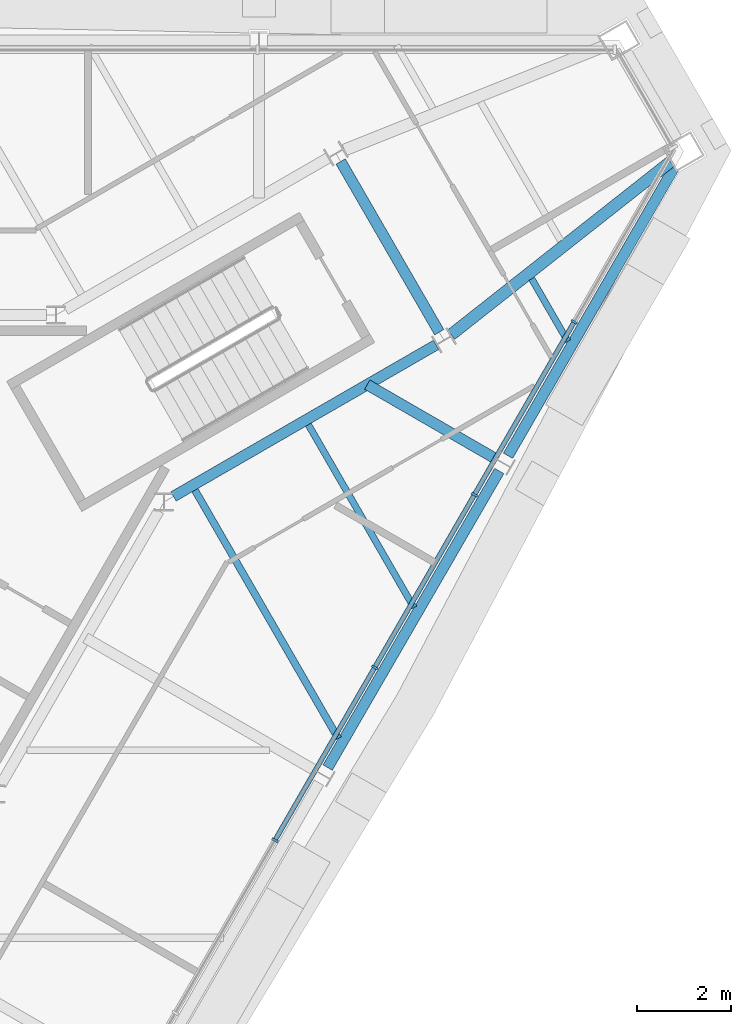
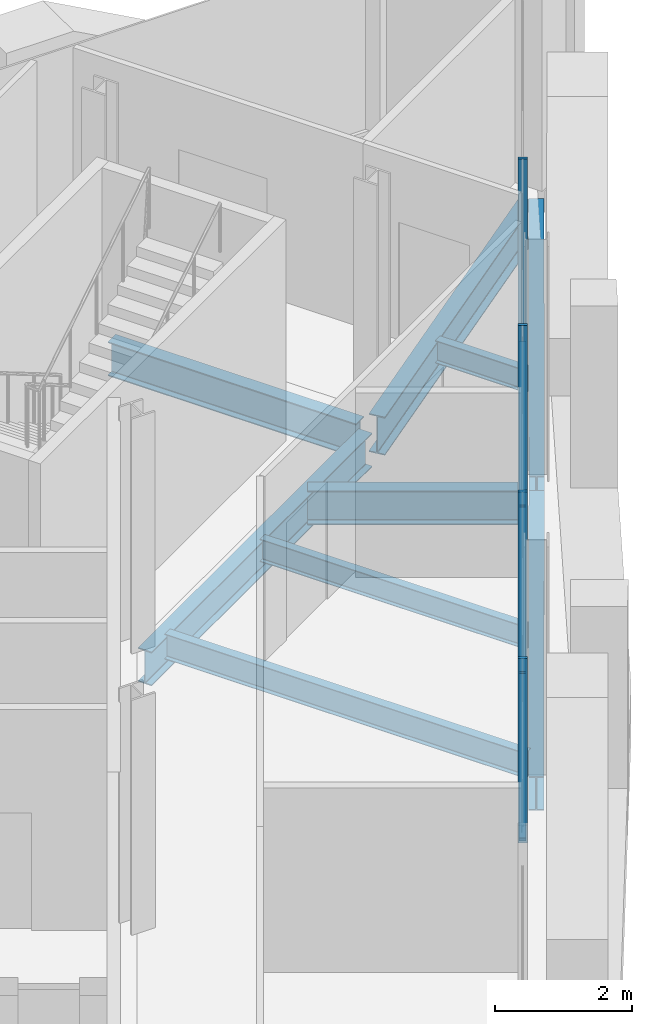
# One storey, part 5 of 13: 9 beams, 7 members, 1 element without a shape of its own.
"""IFC4 building model written with IfcOpenShell, lengths in metres."""

from ifc_helpers import new_model, si_unit, direction, frame, origin, origin_2d, place, context, subcontext, project, spatial, rectangle, i_section, extrude, material, material_profile, profile_set, type_object, element, aggregate, save


model = new_model("IFC4")

# Units and contexts
model_context = context("Model", 3, precision=1e-05, world=origin(), true_north=direction((0.0, 1.0)))
body_context = subcontext(model_context, "Body", "Model", "MODEL_VIEW")
ifc_project = project(units=[si_unit("LENGTHUNIT", "METRE"), si_unit("AREAUNIT", "SQUARE_METRE"), si_unit("VOLUMEUNIT", "CUBIC_METRE"), si_unit("PLANEANGLEUNIT", "RADIAN"), si_unit("MASSUNIT", "GRAM", prefix="KILO")], contexts=[model_context])

# Site, building, storey
site_placement = place(None, origin())
site = spatial("IfcSite", under=ifc_project, at=site_placement, CompositionType="ELEMENT")
building_placement = place(site_placement, origin())
building = spatial("IfcBuilding", under=site, at=building_placement, Name="Verrane Prism Tower", CompositionType="ELEMENT")
storey_placement = place(building_placement, frame((0.0, 0.0, 316.800048828125)))
storey = spatial("IfcBuildingStorey", under=building, at=storey_placement, Name="L80", CompositionType="ELEMENT", Elevation=316.800048828125)

# Beams
ifc_material_1 = material(Name="Steel A992", Category="steel")
ifc_material_profile_1 = material_profile(ifc_material_1, i_section(OverallWidth=0.228271484375, OverallDepth=0.607177734375, WebThickness=0.01123046875, FlangeThickness=0.017333984375, FilletRadius=0.0126953125, at=origin_2d()), Name="W24x76")
ifc_profile_set_1 = profile_set([ifc_material_profile_1], Name="Steel A992")
beam_type_1 = type_object("IfcBeamType", Name="Core ring girder W24x76", PredefinedType="BEAM", material=ifc_profile_set_1)
beam_1_placement = place(storey_placement, frame((9.679443359375, 2.93505859375, -0.553466796875), z_axis=(0.866076057046, 0.499912255713, 0.0), x_axis=(-0.499912255713, 0.866076057046, 0.0)))
element("IfcBeam", 1, at=beam_1_placement, inside=storey, type_object=beam_type_1, Name="Core ring girder L80", PredefinedType="BEAM", context=body_context, shape_type="SweptSolid", body=[
    extrude(i_section(OverallWidth=0.228271484375, OverallDepth=0.607177734375, WebThickness=0.01123046875, FlangeThickness=0.017333984375, FilletRadius=0.0126953125, at=origin_2d()), origin(), (0.0, 0.0, 1.0), 6.458251953125),
])
beam_2_placement = place(storey_placement, frame((15.340087890625, 6.4326171875, -0.553466796875), z_axis=(-0.500323136493, 0.865838760445, 0.0), x_axis=(-0.865838760445, -0.500323136493, 0.0)))
element("IfcBeam", 2, at=beam_2_placement, inside=storey, type_object=beam_type_1, Name="Core ring girder L80", PredefinedType="BEAM", context=body_context, shape_type="SweptSolid", body=[
    extrude(i_section(OverallWidth=0.228271484375, OverallDepth=0.607177734375, WebThickness=0.01123046875, FlangeThickness=0.017333984375, FilletRadius=0.0126953125, at=origin_2d()), origin(), (0.0, 0.0, 1.0), 4.197998046875),
])
ifc_material_2 = material(Name="Steel A992", Category="steel")
ifc_material_profile_2 = material_profile(ifc_material_2, i_section(OverallWidth=0.25390625, OverallDepth=0.683349609375, WebThickness=0.012451171875, FlangeThickness=0.01904296875, FilletRadius=0.01513671875, at=origin_2d()), Name="W27x94")
ifc_profile_set_2 = profile_set([ifc_material_profile_2], Name="Steel A992")
beam_type_2 = type_object("IfcBeamType", Name="Corner girder W27x94", PredefinedType="BEAM", material=ifc_profile_set_2)
beam_3_placement = place(storey_placement, frame((20.26220703125, 10.06103515625, -0.561767578125), z_axis=(-0.785339810319, -0.619064925777, 0.0), x_axis=(0.619064925777, -0.785339810319, 0.0)))
element("IfcBeam", 3, at=beam_3_placement, inside=storey, type_object=beam_type_2, Name="Corner girder L80", PredefinedType="BEAM", context=body_context, shape_type="SweptSolid", body=[
    extrude(i_section(OverallWidth=0.25390625, OverallDepth=0.683349609375, WebThickness=0.012451171875, FlangeThickness=0.01904296875, FilletRadius=0.01513671875, at=origin_2d()), origin(), (0.0, 0.0, 1.0), 5.945068359375),
])
ifc_material_3 = material(Name="Steel A992", Category="steel")
ifc_material_profile_3 = material_profile(ifc_material_3, i_section(OverallWidth=0.140380859375, OverallDepth=0.40380859375, WebThickness=0.007080078125, FlangeThickness=0.01123046875, FilletRadius=0.01025390625, at=origin_2d()), Name="W16x31")
ifc_profile_set_3 = profile_set([ifc_material_profile_3], Name="Steel A992")
beam_type_3 = type_object("IfcBeamType", Name="Floor beam W16x31", PredefinedType="BEAM", material=ifc_profile_set_3)
beam_4_placement = place(storey_placement, frame((14.801513671875, 0.5673828125, -0.362060546875), z_axis=(-0.500038829804, 0.866002984226, 0.0), x_axis=(-0.866002984226, -0.500038829804, 0.0)))
element("IfcBeam", 4, at=beam_4_placement, inside=storey, type_object=beam_type_3, Name="Floor beam L80", PredefinedType="BEAM", context=body_context, shape_type="SweptSolid", body=[
    extrude(i_section(OverallWidth=0.140380859375, OverallDepth=0.40380859375, WebThickness=0.007080078125, FlangeThickness=0.01123046875, FilletRadius=0.01025390625, at=origin_2d()), origin(), (0.0, 0.0, 1.0), 4.497802734375),
])
beam_5_placement = place(storey_placement, frame((18.076904296875, 6.23779296875, -0.362060546875), z_axis=(-0.499978844458, 0.866037617598, 0.0), x_axis=(-0.866037617598, -0.499978844458, 0.0)))
element("IfcBeam", 5, at=beam_5_placement, inside=storey, type_object=beam_type_3, Name="Floor beam L80", PredefinedType="BEAM", context=body_context, shape_type="SweptSolid", body=[
    extrude(i_section(OverallWidth=0.140380859375, OverallDepth=0.40380859375, WebThickness=0.007080078125, FlangeThickness=0.01123046875, FilletRadius=0.01025390625, at=origin_2d()), origin(), (0.0, 0.0, 1.0), 1.53857421875),
])
ifc_material_4 = material(Name="Steel A992", Category="steel")
ifc_material_profile_4 = material_profile(ifc_material_4, i_section(OverallWidth=0.15234375, OverallDepth=0.449462890625, WebThickness=0.007568359375, FlangeThickness=0.0107421875, FilletRadius=0.01025390625, at=origin_2d()), Name="W18x35")
ifc_profile_set_4 = profile_set([ifc_material_profile_4], Name="Steel A992")
beam_type_4 = type_object("IfcBeamType", Name="Floor beam W18x35", PredefinedType="BEAM", material=ifc_profile_set_4)
beam_6_placement = place(storey_placement, frame((13.189697265625, -2.219482421875, -0.384765625), z_axis=(-0.499979762145, 0.8660370878, 0.0), x_axis=(-0.8660370878, -0.499979762145, 0.0)))
element("IfcBeam", 6, at=beam_6_placement, inside=storey, type_object=beam_type_4, Name="Floor beam L80", PredefinedType="BEAM", context=body_context, shape_type="SweptSolid", body=[
    extrude(i_section(OverallWidth=0.15234375, OverallDepth=0.449462890625, WebThickness=0.007568359375, FlangeThickness=0.0107421875, FilletRadius=0.01025390625, at=origin_2d()), origin(), (0.0, 0.0, 1.0), 6.105224609375),
])

# Curtain wall, members
ifc_material_5 = material(Name="Aluminium framed insulated glazing", Category="aluminium")
curtain_wall_type = type_object("IfcCurtainWallType", Name="Curtain wall CW-C 4200 module", PredefinedType="NOTDEFINED", material=ifc_material_5)
curtain_wall_placement = place(storey_placement, origin())
curtain_wall = element("IfcCurtainWall", 7, at=curtain_wall_placement, inside=storey, type_object=curtain_wall_type, Name="Glazed curtain wall south-east face L80", PredefinedType="NOTDEFINED")
ifc_material_6 = material(Name="Aluminium alloy 6063-T6", Category="aluminium")
ifc_material_profile_5 = material_profile(ifc_material_6, rectangle(XDim=0.139892578125, YDim=0.050048828125, at=origin_2d()), Name="Mullion 50x140 aluminium")
ifc_profile_set_5 = profile_set([ifc_material_profile_5], Name="Aluminium alloy 6063-T6")
member_type_1 = type_object("IfcMemberType", Name="Mullion 50x140 aluminium", PredefinedType="MULLION", material=ifc_profile_set_5)
member_1_placement = place(storey_placement, frame((11.841552734375, -4.38427734375, 0.0), z_axis=(0.0, 0.0, 1.0), x_axis=(-0.866025278644, 0.500000216749, 0.0)))
member_1 = element("IfcMember", 8, at=member_1_placement, type_object=member_type_1, Name="CW80.6 mullion 6", PredefinedType="MULLION", context=body_context, shape_type="SweptSolid", body=[
    extrude(rectangle(XDim=0.139892578125, YDim=0.050048828125, at=origin_2d()), origin(), (0.0, 0.0, 1.0), 3.296630859375),
])
member_2_placement = place(storey_placement, frame((13.96533203125, -0.705810546875, 0.0), z_axis=(0.0, 0.0, 1.0), x_axis=(-0.866025278644, 0.500000216749, 0.0)))
member_2 = element("IfcMember", 9, at=member_2_placement, type_object=member_type_1, Name="CW80.6 mullion 7", PredefinedType="MULLION", context=body_context, shape_type="SweptSolid", body=[
    extrude(rectangle(XDim=0.139892578125, YDim=0.050048828125, at=origin_2d()), origin(), (0.0, 0.0, 1.0), 3.296630859375),
])
member_3_placement = place(storey_placement, frame((16.089111328125, 2.97265625, 0.0), z_axis=(0.0, 0.0, 1.0), x_axis=(-0.866025278644, 0.500000216749, 0.0)))
member_3 = element("IfcMember", 10, at=member_3_placement, type_object=member_type_1, Name="CW80.6 mullion 8", PredefinedType="MULLION", context=body_context, shape_type="SweptSolid", body=[
    extrude(rectangle(XDim=0.139892578125, YDim=0.050048828125, at=origin_2d()), origin(), (0.0, 0.0, 1.0), 3.296630859375),
])
member_4_placement = place(storey_placement, frame((18.212890625, 6.651123046875, 0.0), z_axis=(0.0, 0.0, 1.0), x_axis=(-0.866025278644, 0.500000216749, 0.0)))
member_4 = element("IfcMember", 11, at=member_4_placement, type_object=member_type_1, Name="CW80.6 mullion 9", PredefinedType="MULLION", context=body_context, shape_type="SweptSolid", body=[
    extrude(rectangle(XDim=0.139892578125, YDim=0.050048828125, at=origin_2d()), origin(), (0.0, 0.0, 1.0), 3.296630859375),
])

# Beams
ifc_material_7 = material(Name="Steel A992", Category="steel")
ifc_material_profile_6 = material_profile(ifc_material_7, i_section(OverallWidth=0.228271484375, OverallDepth=0.607177734375, WebThickness=0.01123046875, FlangeThickness=0.017333984375, FilletRadius=0.0126953125, at=origin_2d()), Name="W24x76")
ifc_profile_set_6 = profile_set([ifc_material_profile_6], Name="Steel A992")
beam_type_5 = type_object("IfcBeamType", Name="Radial girder W24x76", PredefinedType="BEAM", material=ifc_profile_set_6)
beam_7_placement = place(storey_placement, frame((16.550537109375, 3.732177734375, -0.5234375), z_axis=(-0.866011117715, 0.500024743381, 0.0), x_axis=(-0.500024743381, -0.866011117715, 0.0)))
element("IfcBeam", 12, at=beam_7_placement, inside=storey, type_object=beam_type_5, Name="Radial girder L80", PredefinedType="BEAM", context=body_context, shape_type="SweptSolid", body=[
    extrude(i_section(OverallWidth=0.228271484375, OverallDepth=0.607177734375, WebThickness=0.01123046875, FlangeThickness=0.017333984375, FilletRadius=0.0126953125, at=origin_2d()), origin(), (0.0, 0.0, 1.0), 3.169189453125),
])
ifc_material_8 = material(Name="Steel A992", Category="steel")
ifc_material_profile_7 = material_profile(ifc_material_8, i_section(OverallWidth=0.228271484375, OverallDepth=0.607177734375, WebThickness=0.01123046875, FlangeThickness=0.017333984375, FilletRadius=0.0126953125, at=origin_2d()), Name="W24x76")
ifc_profile_set_7 = profile_set([ifc_material_profile_7], Name="Steel A992")
beam_type_6 = type_object("IfcBeamType", Name="Spandrel beam W24x76", PredefinedType="SPANDREL", material=ifc_profile_set_7)
beam_8_placement = place(storey_placement, frame((12.96337890625, -2.83837890625, -0.463623046875), z_axis=(0.50061813753, 0.865668227658, 0.0), x_axis=(-0.865668227658, 0.50061813753, 0.0)))
element("IfcBeam", 13, at=beam_8_placement, inside=storey, type_object=beam_type_6, Name="Spandrel beam L80", PredefinedType="SPANDREL", context=body_context, shape_type="SweptSolid", body=[
    extrude(i_section(OverallWidth=0.228271484375, OverallDepth=0.607177734375, WebThickness=0.01123046875, FlangeThickness=0.017333984375, FilletRadius=0.0126953125, at=origin_2d()), origin(), (0.0, 0.0, 1.0), 7.297119140625),
])
beam_9_placement = place(storey_placement, frame((16.80322265625, 3.8017578125, -0.463623046875), z_axis=(0.499650748497, 0.866226950358, 0.0), x_axis=(-0.866226950358, 0.499650748497, 0.0)))
element("IfcBeam", 14, at=beam_9_placement, inside=storey, type_object=beam_type_6, Name="Spandrel beam L80", PredefinedType="SPANDREL", context=body_context, shape_type="SweptSolid", body=[
    extrude(i_section(OverallWidth=0.228271484375, OverallDepth=0.607177734375, WebThickness=0.01123046875, FlangeThickness=0.017333984375, FilletRadius=0.0126953125, at=origin_2d()), origin(), (0.0, 0.0, 1.0), 7.07421875),
])

# Member
ifc_material_9 = material(Name="Aluminium alloy 6063-T6", Category="aluminium")
ifc_material_profile_8 = material_profile(ifc_material_9, rectangle(XDim=0.10009765625, YDim=0.050048828125, at=origin_2d()), Name="Transom 50x100 aluminium")
ifc_profile_set_8 = profile_set([ifc_material_profile_8], Name="Aluminium alloy 6063-T6")
member_type_2 = type_object("IfcMemberType", Name="Transom 50x100 aluminium", PredefinedType="USERDEFINED", material=ifc_profile_set_8)
member_5_placement = place(storey_placement, frame((11.85400390625, -4.36279296875, 0.02490234375), z_axis=(0.500011101102, 0.866018994465, 0.0), x_axis=(-0.866018994465, 0.500011101102, 0.0)))
member_5 = element("IfcMember", 15, at=member_5_placement, type_object=member_type_2, Name="CW80.6 transom 6", ObjectType="TRANSOM", PredefinedType="USERDEFINED", context=body_context, shape_type="SweptSolid", body=[
    extrude(rectangle(XDim=0.10009765625, YDim=0.050048828125, at=origin_2d()), origin(), (0.0, 0.0, 1.0), 4.19775390625),
])

member_6_placement = place(storey_placement, frame((13.977783203125, -0.684326171875, 0.02490234375), z_axis=(0.500011101102, 0.866018994465, 0.0), x_axis=(-0.866018994465, 0.500011101102, 0.0)))
member_6 = element("IfcMember", 16, at=member_6_placement, type_object=member_type_2, Name="CW80.6 transom 7", ObjectType="TRANSOM", PredefinedType="USERDEFINED", context=body_context, shape_type="SweptSolid", body=[
    extrude(rectangle(XDim=0.10009765625, YDim=0.050048828125, at=origin_2d()), origin(), (0.0, 0.0, 1.0), 4.19775390625),
])

member_7_placement = place(storey_placement, frame((16.1015625, 2.994384765625, 0.02490234375), z_axis=(0.500036287034, 0.866004452442, 0.0), x_axis=(-0.866004452442, 0.500036287034, 0.0)))
member_7 = element("IfcMember", 17, at=member_7_placement, type_object=member_type_2, Name="CW80.6 transom 8", ObjectType="TRANSOM", PredefinedType="USERDEFINED", context=body_context, shape_type="SweptSolid", body=[
    extrude(rectangle(XDim=0.10009765625, YDim=0.050048828125, at=origin_2d()), origin(), (0.0, 0.0, 1.0), 4.197509765625),
])

aggregate(curtain_wall, [member_1, member_2, member_3, member_4, member_5, member_6, member_7])

save(model, "model.ifc")
